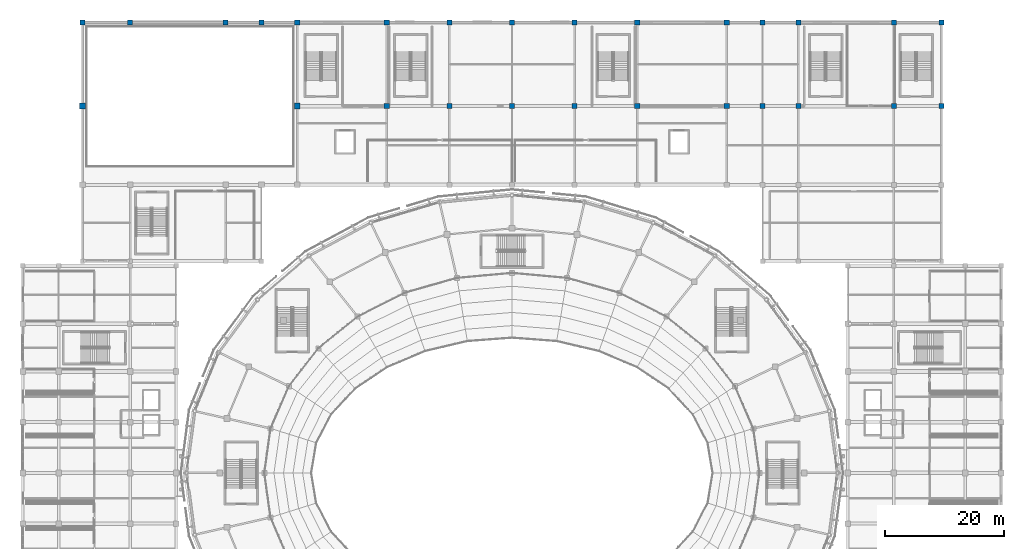
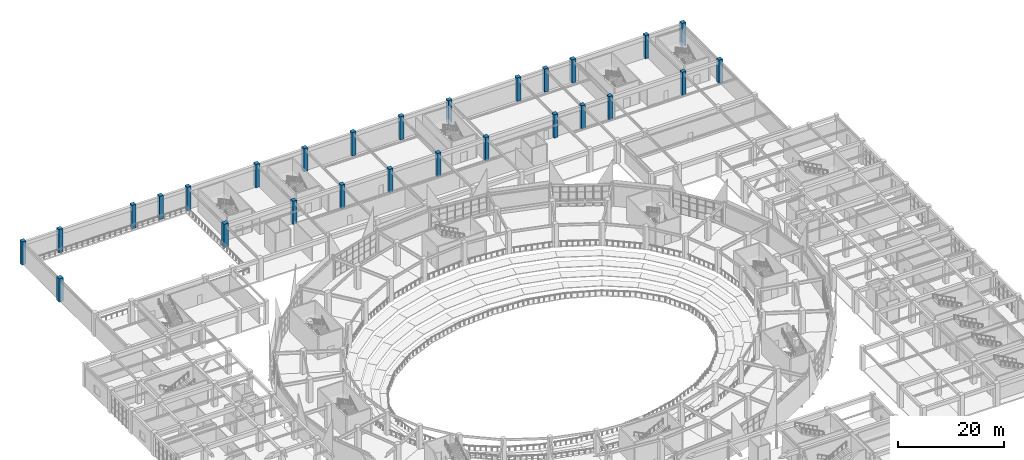
# One storey, part 12 of 120: 27 columns.
"""IFC4 building model written with IfcOpenShell, lengths in metres."""

from ifc_helpers import new_model, si_unit, direction, frame, origin, origin_2d, place, context, subcontext, project, spatial, rectangle, extrude, material, material_profile, profile_set, type_object, element, save


model = new_model("IFC4")

# Units and contexts
model_context = context("Model", 3, precision=1e-05, world=origin(), true_north=direction((0.0, 1.0)))
body_context = subcontext(model_context, "Body", "Model", "MODEL_VIEW")
ifc_project = project(units=[si_unit("LENGTHUNIT", "METRE"), si_unit("AREAUNIT", "SQUARE_METRE"), si_unit("VOLUMEUNIT", "CUBIC_METRE"), si_unit("PLANEANGLEUNIT", "RADIAN"), si_unit("MASSUNIT", "GRAM", prefix="KILO")], contexts=[model_context])

# Site, building, storey
site_placement = place(None, origin())
site = spatial("IfcSite", under=ifc_project, at=site_placement, CompositionType="ELEMENT")
building_placement = place(site_placement, origin())
building = spatial("IfcBuilding", under=site, at=building_placement, Name="Cuetzalor Civic Arena", CompositionType="ELEMENT")
storey_placement = place(building_placement, frame((0.0, 0.0, 6.0)))
storey = spatial("IfcBuildingStorey", under=building, at=storey_placement, Name="L01", CompositionType="ELEMENT", Elevation=6.0)

# Columns
ifc_material_1 = material(Name="Concrete C40/50", Category="concrete")
ifc_material_profile_1 = material_profile(ifc_material_1, rectangle(XDim=0.85009765625, YDim=0.85009765625, at=origin_2d()), Name="RC 850x850")
ifc_profile_set_1 = profile_set([ifc_material_profile_1], Name="Concrete C40/50")
column_type_1 = type_object("IfcColumnType", Name="ConcreteColumn_850", PredefinedType="COLUMN", material=ifc_profile_set_1)
for number, where, z_axis, x_axis, name in (
    (1, (-72.0, 75.5, 0.0), (0.0, 0.0, 1.0), (1.0, 0.0, 0.0), "Column V5-C-01-05 L01"),
    (2, (-64.0, 75.5, 0.0), (0.0, 0.0, 1.0), (1.0, 0.0, 0.0), "Column V5-C-02-05 L01"),
    (3, (-48.0, 75.5, 0.0), (0.0, 0.0, 1.0), (1.0, 0.0, 0.0), "Column V5-C-03-05 L01"),
    (4, (-42.0, 75.5, 0.0), (0.0, 0.0, 1.0), (1.0, 0.0, 0.0), "Column V5-C-04-05 L01"),
    (5, (-36.0, 75.5, 0.0), (0.0, 0.0, 1.0), (1.0, 0.0, 0.0), "Column V5-C-05-05 L01"),
    (6, (-21.0, 61.5, 0.0), (0.0, 0.0, 1.0), (1.0, 0.0, 0.0), "Column V5-C-06-04 L01"),
    (7, (-21.0, 75.5, 0.0), (0.0, 0.0, 1.0), (1.0, 0.0, 0.0), "Column V5-C-06-05 L01"),
    (8, (-10.5, 61.5, 0.0), (0.0, 0.0, 1.0), (1.0, 0.0, 0.0), "Column V5-C-07-04 L01"),
    (9, (-10.5, 75.5, 0.0), (0.0, 0.0, 1.0), (1.0, 0.0, 0.0), "Column V5-C-07-05 L01"),
    (10, (0.0, 61.5, 0.0), (0.0, 0.0, 1.0), (1.0, 0.0, 0.0), "Column V5-C-08-04 L01"),
    (11, (0.0, 75.5, 0.0), (0.0, 0.0, 1.0), (1.0, 0.0, 0.0), "Column V5-C-08-05 L01"),
    (12, (10.5, 61.5, 0.0), (0.0, 0.0, 1.0), (1.0, 0.0, 0.0), "Column V5-C-09-04 L01"),
    (13, (10.5, 75.5, 0.0), (0.0, 0.0, 1.0), (1.0, 0.0, 0.0), "Column V5-C-09-05 L01"),
    (14, (21.0, 61.5, 0.0), (0.0, 0.0, 1.0), (1.0, 0.0, 0.0), "Column V5-C-10-04 L01"),
    (15, (21.0, 75.5, 0.0), (0.0, 0.0, 1.0), (1.0, 0.0, 0.0), "Column V5-C-10-05 L01"),
    (16, (36.0, 61.5, 0.0), (0.0, 0.0, 1.0), (1.0, 0.0, 0.0), "Column V5-C-11-04 L01"),
    (17, (36.0, 75.5, 0.0), (0.0, 0.0, 1.0), (1.0, 0.0, 0.0), "Column V5-C-11-05 L01"),
    (18, (42.0, 61.5, 0.0), (0.0, 0.0, 1.0), (1.0, 0.0, 0.0), "Column V5-C-12-04 L01"),
    (19, (42.0, 75.5, 0.0), (0.0, 0.0, 1.0), (1.0, 0.0, 0.0), "Column V5-C-12-05 L01"),
    (20, (48.0, 61.5, 0.0), (0.0, 0.0, 1.0), (1.0, 0.0, 0.0), "Column V5-C-13-04 L01"),
    (21, (48.0, 75.5, 0.0), (0.0, 0.0, 1.0), (1.0, 0.0, 0.0), "Column V5-C-13-05 L01"),
    (22, (64.0, 61.5, 0.0), (0.0, 0.0, 1.0), (1.0, 0.0, 0.0), "Column V5-C-14-04 L01"),
    (23, (64.0, 75.5, 0.0), (0.0, 0.0, 1.0), (1.0, 0.0, 0.0), "Column V5-C-14-05 L01"),
    (24, (72.0, 61.5, 0.0), (0.0, 0.0, 1.0), (1.0, 0.0, 0.0), "Column V5-C-15-04 L01"),
    (25, (72.0, 75.5, 0.0), (0.0, 0.0, 1.0), (1.0, 0.0, 0.0), "Column V5-C-15-05 L01"),
):
    element("IfcColumn", number, at=place(storey_placement, frame(where, z_axis=z_axis, x_axis=x_axis)), inside=storey, type_object=column_type_1, Name=name, PredefinedType="COLUMN", context=body_context, shape_type="SweptSolid", body=[
        extrude(rectangle(XDim=0.85009765625, YDim=0.85009765625, at=origin_2d()), origin(), (0.0, 0.0, 1.0), 5.39990234375),
    ])
ifc_material_2 = material(Name="Concrete C40/50", Category="concrete")
ifc_material_profile_2 = material_profile(ifc_material_2, rectangle(XDim=0.949951171875, YDim=0.949951171875, at=origin_2d()), Name="RC 950x950")
ifc_profile_set_2 = profile_set([ifc_material_profile_2], Name="Concrete C40/50")
column_type_2 = type_object("IfcColumnType", Name="ConcreteColumn_950", PredefinedType="COLUMN", material=ifc_profile_set_2)
for number, where, z_axis, x_axis, name in (
    (26, (-72.0, 61.5, 0.0), (0.0, 0.0, 1.0), (1.0, 0.0, 0.0), "Column V5-C-01-04 L01"),
    (27, (-36.0, 61.5, 0.0), (0.0, 0.0, 1.0), (1.0, 0.0, 0.0), "Column V5-C-05-04 L01"),
):
    element("IfcColumn", number, at=place(storey_placement, frame(where, z_axis=z_axis, x_axis=x_axis)), inside=storey, type_object=column_type_2, Name=name, PredefinedType="COLUMN", context=body_context, shape_type="SweptSolid", body=[
        extrude(rectangle(XDim=0.949951171875, YDim=0.949951171875, at=origin_2d()), origin(), (0.0, 0.0, 1.0), 5.39990234375),
    ])

save(model, "model.ifc")
